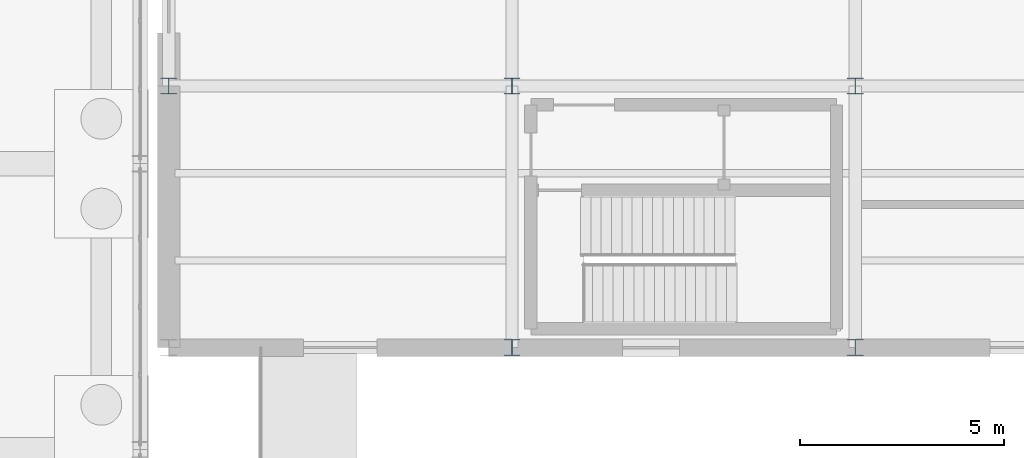
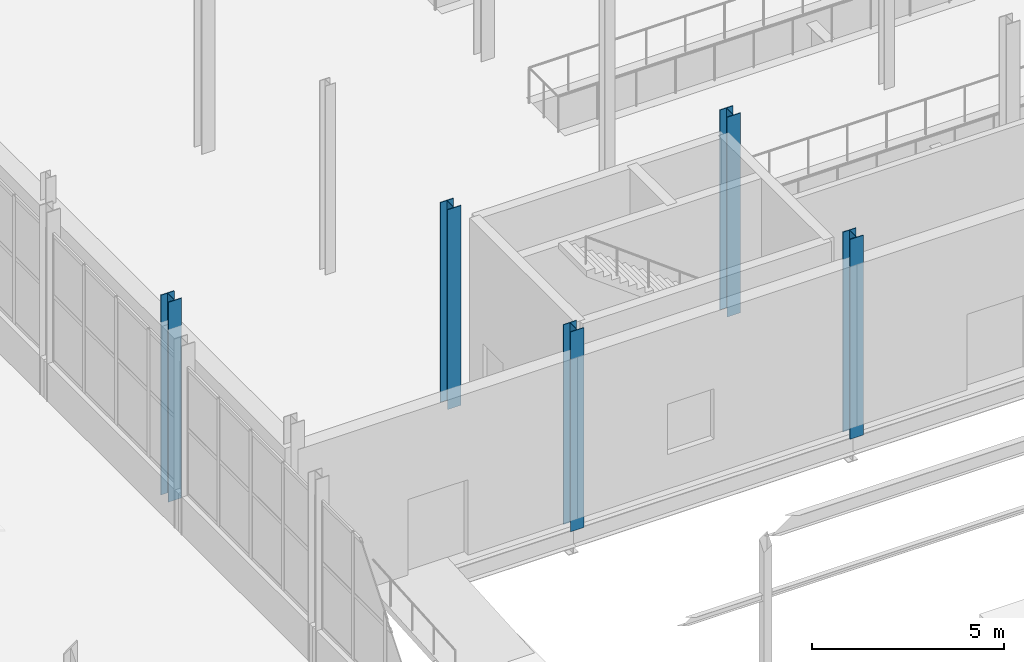
# One storey, part 13 of 139: 5 columns.
"""IFC4 building model written with IfcOpenShell, lengths in metres."""

from ifc_helpers import new_model, si_unit, direction, frame, origin, origin_2d, place, context, subcontext, project, spatial, i_section, extrude, material, material_profile, profile_set, type_object, element, save


model = new_model("IFC4")

# Units and contexts
model_context = context("Model", 3, precision=1e-05, world=origin(), true_north=direction((0.0, 1.0)))
body_context = subcontext(model_context, "Body", "Model", "MODEL_VIEW")
ifc_project = project(units=[si_unit("LENGTHUNIT", "METRE"), si_unit("AREAUNIT", "SQUARE_METRE"), si_unit("VOLUMEUNIT", "CUBIC_METRE"), si_unit("PLANEANGLEUNIT", "RADIAN"), si_unit("MASSUNIT", "GRAM", prefix="KILO")], contexts=[model_context])

# Site, building, storey
site_placement = place(None, origin())
site = spatial("IfcSite", under=ifc_project, at=site_placement, CompositionType="ELEMENT")
building_placement = place(site_placement, origin())
building = spatial("IfcBuilding", under=site, at=building_placement, Name="Kazenagashi Tramway Depot", CompositionType="ELEMENT")
storey_placement = place(building_placement, origin())
storey = spatial("IfcBuildingStorey", under=building, at=storey_placement, Name="L01", CompositionType="ELEMENT", Elevation=0.0)

# Columns
ifc_material = material(Name="Steel SN490B", Category="steel")
ifc_material_profile = material_profile(ifc_material, i_section(OverallWidth=0.4, OverallDepth=0.4, WebThickness=0.013, FlangeThickness=0.021, at=origin_2d()), Name="H-400x400x13x21")
ifc_profile_set = profile_set([ifc_material_profile], Name="Steel SN490B")
column_type = type_object("IfcColumnType", Name="C-03", PredefinedType="COLUMN", material=ifc_profile_set)
for number, where, z_axis, x_axis, name in (
    (1, (44.8, 22.9, -0.35), (0.0, 0.0, 1.0), (1.0, 0.0, 0.0), "Column C-03 COL-0148"),
    (2, (53.2, 16.5, -0.35), (0.0, 0.0, 1.0), (1.0, 0.0, 0.0), "Column C-03 COL-0161"),
    (3, (53.2, 22.9, -0.35), (0.0, 0.0, 1.0), (1.0, 0.0, 0.0), "Column C-03 COL-0165"),
    (4, (61.6, 16.5, -0.35), (0.0, 0.0, 1.0), (1.0, 0.0, 0.0), "Column C-03 COL-0178"),
    (5, (61.6, 22.9, -0.35), (0.0, 0.0, 1.0), (1.0, 0.0, 0.0), "Column C-03 COL-0182"),
):
    element("IfcColumn", number, at=place(storey_placement, frame(where, z_axis=z_axis, x_axis=x_axis)), inside=storey, type_object=column_type, Name=name, PredefinedType="COLUMN", context=body_context, shape_type="SweptSolid", body=[
        extrude(i_section(OverallWidth=0.4, OverallDepth=0.4, WebThickness=0.013, FlangeThickness=0.021, at=origin_2d()), origin(), (0.0, 0.0, 1.0), 6.35),
    ])

save(model, "model.ifc")
